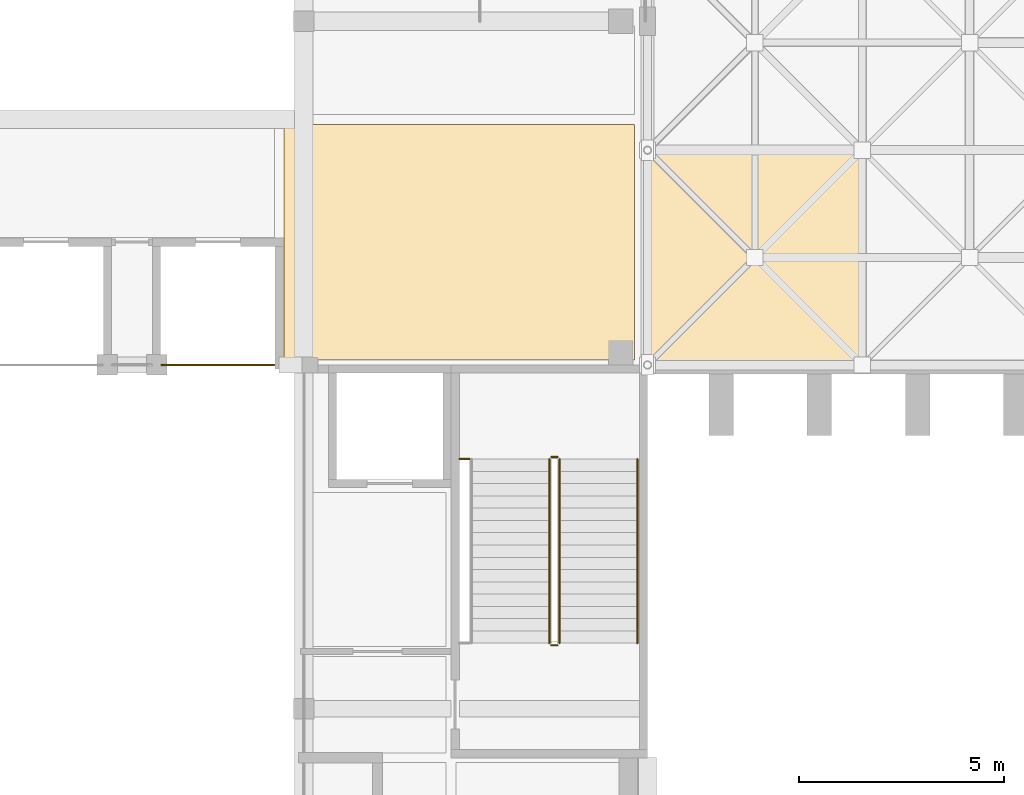
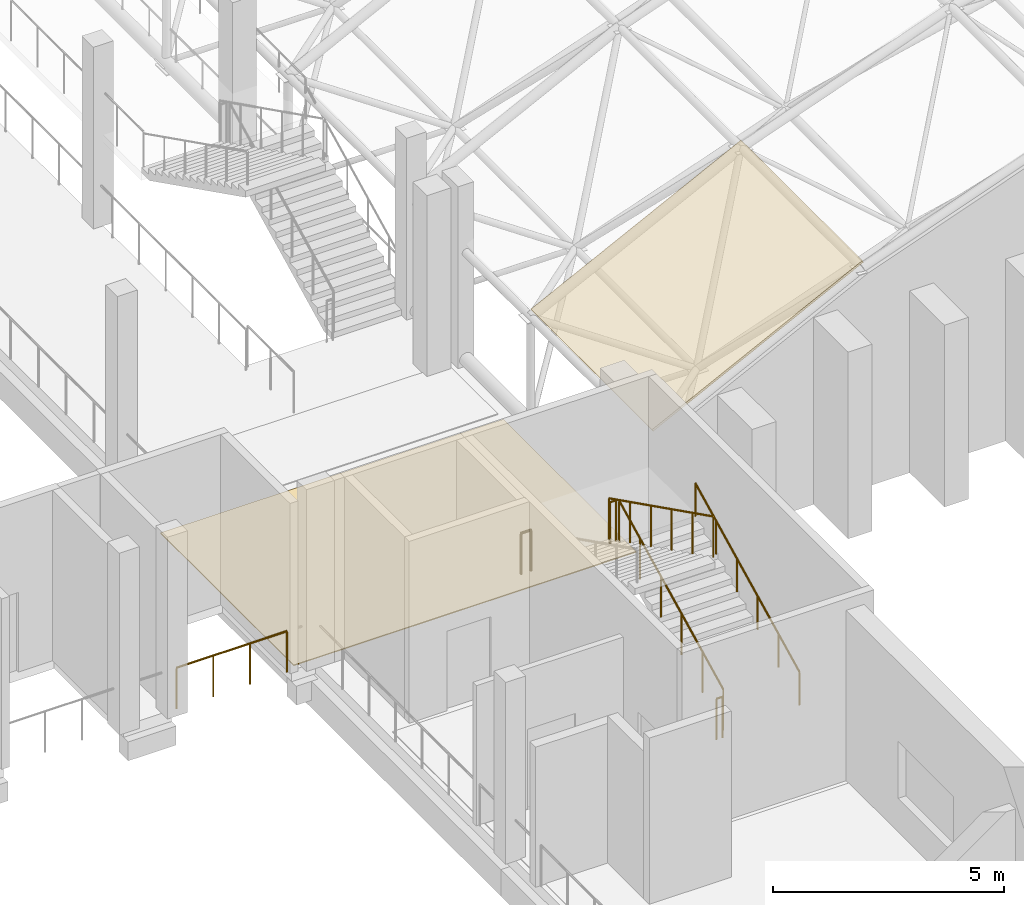
# One storey, part 88 of 100: 7 railings, 2 coverings.
"""IFC4 building model written with IfcOpenShell, lengths in metres."""

from ifc_helpers import new_model, si_unit, direction, frame, origin, origin_2d, place, context, subcontext, project, spatial, polyline, circle, outline, extrude, material, layer, layer_set, type_object, element, save


model = new_model("IFC4")

# Units and contexts
model_context = context("Model", 3, precision=1e-05, world=origin(), true_north=direction((0.0, 1.0)))
body_context = subcontext(model_context, "Body", "Model", "MODEL_VIEW")
ifc_project = project(units=[si_unit("LENGTHUNIT", "METRE"), si_unit("AREAUNIT", "SQUARE_METRE"), si_unit("VOLUMEUNIT", "CUBIC_METRE"), si_unit("PLANEANGLEUNIT", "RADIAN"), si_unit("MASSUNIT", "GRAM", prefix="KILO")], contexts=[model_context])

# Site, building, storey
site_placement = place(None, origin())
site = spatial("IfcSite", under=ifc_project, at=site_placement, CompositionType="ELEMENT")
building_placement = place(site_placement, origin())
building = spatial("IfcBuilding", under=site, at=building_placement, Name="Kiln Court Media Centre", CompositionType="ELEMENT")
storey_placement = place(building_placement, frame((0.0, 0.0, 15.0)))
storey = spatial("IfcBuildingStorey", under=building, at=storey_placement, Name="L03", CompositionType="ELEMENT", Elevation=15.0)

# Coverings
ifc_material_1 = material(Name="Terrazzo")
ifc_layer_1 = layer(ifc_material_1, 0.02490234375)
ifc_layer_set_1 = layer_set([ifc_layer_1], Name="Polished terrazzo floor finish 25")
covering_type_1 = type_object("IfcCoveringType", Name="Polished terrazzo floor finish 25", PredefinedType="FLOORING", material=ifc_layer_set_1)
covering_1_placement = place(storey_placement, origin())
element("IfcCovering", 1, at=covering_1_placement, inside=storey, type_object=covering_type_1, Name="South Gallery East floor finish", PredefinedType="FLOORING", context=body_context, shape_type="SweptSolid", body=[
    extrude(outline(polyline([(49.919921875, 25.320068359375), (58.47998046875, 25.320068359375), (58.47998046875, 31.080078125), (49.919921875, 31.080078125), (49.919921875, 25.320068359375)])), origin(), (0.0, 0.0, 1.0), 0.02490234375),
])
ifc_material_2 = material(Name="Aluminium 3004 H34", Category="aluminium")
ifc_layer_2 = layer(ifc_material_2, 0.06005859375)
ifc_layer_set_2 = layer_set([ifc_layer_2], Name="Standing-seam aluminium roof panel 60")
covering_type_2 = type_object("IfcCoveringType", Name="Standing-seam aluminium roof panel 60", PredefinedType="ROOFING", material=ifc_layer_set_2)
covering_2_placement = place(storey_placement, frame((58.800048828125, 25.199951171875, 3.203857421875), z_axis=(-0.4472135955, 0.0, 0.894427191), x_axis=(0.894427191, 0.0, 0.4472135955)))
element("IfcCovering", 2, at=covering_2_placement, inside=storey, type_object=covering_type_2, Name="V1 roof panel 1.1", PredefinedType="ROOFING", context=body_context, shape_type="SweptSolid", body=[
    extrude(outline(polyline([(0.0, 0.0), (5.869678440936949, 0.0), (5.869678440936949, 5.25), (0.0, 5.25), (0.0, 0.0)])), origin(), (0.0, 0.0, -1.0), 0.06005859375),
])

# Railings
ifc_material_3 = material(Name="Steel S275", Category="steel")
railing_type_1 = type_object("IfcRailingType", Name="Steel S275 balustrade guard 1100", PredefinedType="GUARDRAIL", material=ifc_material_3)
railing_1_placement = place(storey_placement, frame((49.679931640625, 25.199951171875, 0.0)))
element("IfcRailing", 3, at=railing_1_placement, inside=storey, type_object=railing_type_1, Name="L03 void edge guard", PredefinedType="GUARDRAIL", context=body_context, shape_type="SweptSolid", body=[
    extrude(circle(Radius=0.02392578125, at=origin_2d()), frame((0.0, 0.0, 1.076171875), z_axis=(-1.0, 0.0, 0.0), x_axis=(0.0, -1.0, 0.0)), (0.0, 0.0, 1.0), 2.760009765625),
    extrude(circle(Radius=0.02099609375, at=origin_2d()), origin(), (0.0, 0.0, 1.0), 1.052001953125),
    extrude(circle(Radius=0.02099609375, at=origin_2d()), frame((-0.919921875, 0.0, 0.0)), (0.0, 0.0, 1.0), 1.052001953125),
    extrude(circle(Radius=0.02099609375, at=origin_2d()), frame((-1.840087890625, 0.0, 0.0)), (0.0, 0.0, 1.0), 1.052001953125),
    extrude(circle(Radius=0.02099609375, at=origin_2d()), frame((-2.760009765625, 0.0, 0.0)), (0.0, 0.0, 1.0), 1.052001953125),
])
ifc_material_4 = material(Name="Steel S275", Category="steel")
railing_type_2 = type_object("IfcRailingType", Name="Steel S275 stair guard 1100", PredefinedType="GUARDRAIL", material=ifc_material_4)
railing_2_placement = place(storey_placement, frame((56.64990234375, 18.39990234375, 0.14990234375)))
element("IfcRailing", 4, at=railing_2_placement, inside=storey, type_object=railing_type_2, Name="ST-05 stair guard", PredefinedType="GUARDRAIL", context=body_context, shape_type="SweptSolid", body=[
    extrude(circle(Radius=0.02392578125, at=origin_2d()), frame((0.0, 0.0, 1.076171875), z_axis=(0.0, 0.894427191, 0.4472135955), x_axis=(-1.0, 0.0, 0.0)), (0.0, 0.0, 1.0), 5.03125),
    extrude(circle(Radius=0.02099609375, at=origin_2d()), origin(), (0.0, 0.0, 1.0), 1.052001953125),
    extrude(circle(Radius=0.02099609375, at=origin_2d()), frame((0.0, 0.89990234375, 0.449951171875)), (0.0, 0.0, 1.0), 1.052001953125),
    extrude(circle(Radius=0.02099609375, at=origin_2d()), frame((0.0, 1.800048828125, 0.89990234375)), (0.0, 0.0, 1.0), 1.052001953125),
    extrude(circle(Radius=0.02099609375, at=origin_2d()), frame((0.0, 2.699951171875, 1.35009765625)), (0.0, 0.0, 1.0), 1.052001953125),
    extrude(circle(Radius=0.02099609375, at=origin_2d()), frame((0.0, 3.60009765625, 1.800048828125)), (0.0, 0.0, 1.0), 1.052001953125),
    extrude(circle(Radius=0.02099609375, at=origin_2d()), frame((0.0, 4.5, 2.25)), (0.0, 0.0, 1.0), 1.052001953125),
])
railing_3_placement = place(storey_placement, frame((56.60009765625, 22.949951171875, 2.39990234375)))
element("IfcRailing", 5, at=railing_3_placement, inside=storey, type_object=railing_type_2, Name="ST-05 stair guard", PredefinedType="GUARDRAIL", context=body_context, shape_type="SweptSolid", body=[
    extrude(circle(Radius=0.02392578125, at=origin_2d()), frame((0.0, 0.0, 1.076171875), z_axis=(-1.0, 0.0, 0.0), x_axis=(0.0, -1.0, 0.0)), (0.0, 0.0, 1.0), 0.150146484375),
    extrude(circle(Radius=0.02099609375, at=origin_2d()), origin(), (0.0, 0.0, 1.0), 1.052001953125),
    extrude(circle(Radius=0.02099609375, at=origin_2d()), frame((-0.150146484375, 0.0, 0.0)), (0.0, 0.0, 1.0), 1.052001953125),
])
railing_4_placement = place(storey_placement, frame((56.39990234375, 22.89990234375, 2.550048828125)))
element("IfcRailing", 6, at=railing_4_placement, inside=storey, type_object=railing_type_2, Name="ST-05 stair guard", PredefinedType="GUARDRAIL", context=body_context, shape_type="SweptSolid", body=[
    extrude(circle(Radius=0.02392578125, at=origin_2d()), frame((0.0, 0.0, 1.076171875), z_axis=(0.0, -0.894427191, 0.4472135955), x_axis=(1.0, 0.0, 0.0)), (0.0, 0.0, 1.0), 5.03125),
    extrude(circle(Radius=0.02099609375, at=origin_2d()), origin(), (0.0, 0.0, 1.0), 1.052001953125),
    extrude(circle(Radius=0.02099609375, at=origin_2d()), frame((0.0, -0.89990234375, 0.449951171875)), (0.0, 0.0, 1.0), 1.052001953125),
    extrude(circle(Radius=0.02099609375, at=origin_2d()), frame((0.0, -1.800048828125, 0.89990234375)), (0.0, 0.0, 1.0), 1.052001953125),
    extrude(circle(Radius=0.02099609375, at=origin_2d()), frame((0.0, -2.699951171875, 1.35009765625)), (0.0, 0.0, 1.0), 1.052001953125),
    extrude(circle(Radius=0.02099609375, at=origin_2d()), frame((0.0, -3.60009765625, 1.800048828125)), (0.0, 0.0, 1.0), 1.052001953125),
    extrude(circle(Radius=0.02099609375, at=origin_2d()), frame((0.0, -4.5, 2.25)), (0.0, 0.0, 1.0), 1.052001953125),
])
railing_5_placement = place(storey_placement, frame((56.60009765625, 18.35009765625, 0.0)))
element("IfcRailing", 7, at=railing_5_placement, inside=storey, type_object=railing_type_2, Name="ST-05 stair guard", PredefinedType="GUARDRAIL", context=body_context, shape_type="SweptSolid", body=[
    extrude(circle(Radius=0.02392578125, at=origin_2d()), frame((0.0, 0.0, 1.076171875), z_axis=(-1.0, 0.0, 0.0), x_axis=(0.0, -1.0, 0.0)), (0.0, 0.0, 1.0), 0.150146484375),
    extrude(circle(Radius=0.02099609375, at=origin_2d()), origin(), (0.0, 0.0, 1.0), 1.052001953125),
    extrude(circle(Radius=0.02099609375, at=origin_2d()), frame((-0.150146484375, 0.0, 0.0)), (0.0, 0.0, 1.0), 1.052001953125),
])
railing_6_placement = place(storey_placement, frame((54.449951171875, 22.89990234375, 2.39990234375)))
element("IfcRailing", 8, at=railing_6_placement, inside=storey, type_object=railing_type_2, Name="ST-05 landing edge guard", PredefinedType="GUARDRAIL", context=body_context, shape_type="SweptSolid", body=[
    extrude(circle(Radius=0.02392578125, at=origin_2d()), frame((0.0, 0.0, 1.076171875), z_axis=(-1.0, 0.0, 0.0), x_axis=(0.0, -1.0, 0.0)), (0.0, 0.0, 1.0), 0.25),
    extrude(circle(Radius=0.02099609375, at=origin_2d()), origin(), (0.0, 0.0, 1.0), 1.052001953125),
    extrude(circle(Radius=0.02099609375, at=origin_2d()), frame((-0.25, 0.0, 0.0)), (0.0, 0.0, 1.0), 1.052001953125),
])
ifc_material_5 = material(Name="Steel S275", Category="steel")
railing_type_3 = type_object("IfcRailingType", Name="Steel S275 stair handrail 900", PredefinedType="HANDRAIL", material=ifc_material_5)
railing_7_placement = place(storey_placement, frame((58.550048828125, 18.39990234375, 0.14990234375)))
element("IfcRailing", 9, at=railing_7_placement, inside=storey, type_object=railing_type_3, Name="ST-05 stair handrail", PredefinedType="HANDRAIL", context=body_context, shape_type="SweptSolid", body=[
    extrude(circle(Radius=0.02392578125, at=origin_2d()), frame((0.0, 0.0, 0.8759765625), z_axis=(0.0, 0.894427191, 0.4472135955), x_axis=(-1.0, 0.0, 0.0)), (0.0, 0.0, 1.0), 5.03125),
    extrude(circle(Radius=0.02099609375, at=origin_2d()), origin(), (0.0, 0.0, 1.0), 0.851806640625),
    extrude(circle(Radius=0.02099609375, at=origin_2d()), frame((0.0, 0.89990234375, 0.449951171875)), (0.0, 0.0, 1.0), 0.851806640625),
    extrude(circle(Radius=0.02099609375, at=origin_2d()), frame((0.0, 1.800048828125, 0.89990234375)), (0.0, 0.0, 1.0), 0.851806640625),
    extrude(circle(Radius=0.02099609375, at=origin_2d()), frame((0.0, 2.699951171875, 1.35009765625)), (0.0, 0.0, 1.0), 0.851806640625),
    extrude(circle(Radius=0.02099609375, at=origin_2d()), frame((0.0, 3.60009765625, 1.800048828125)), (0.0, 0.0, 1.0), 0.851806640625),
    extrude(circle(Radius=0.02099609375, at=origin_2d()), frame((0.0, 4.5, 2.25)), (0.0, 0.0, 1.0), 0.851806640625),
])

save(model, "model.ifc")
